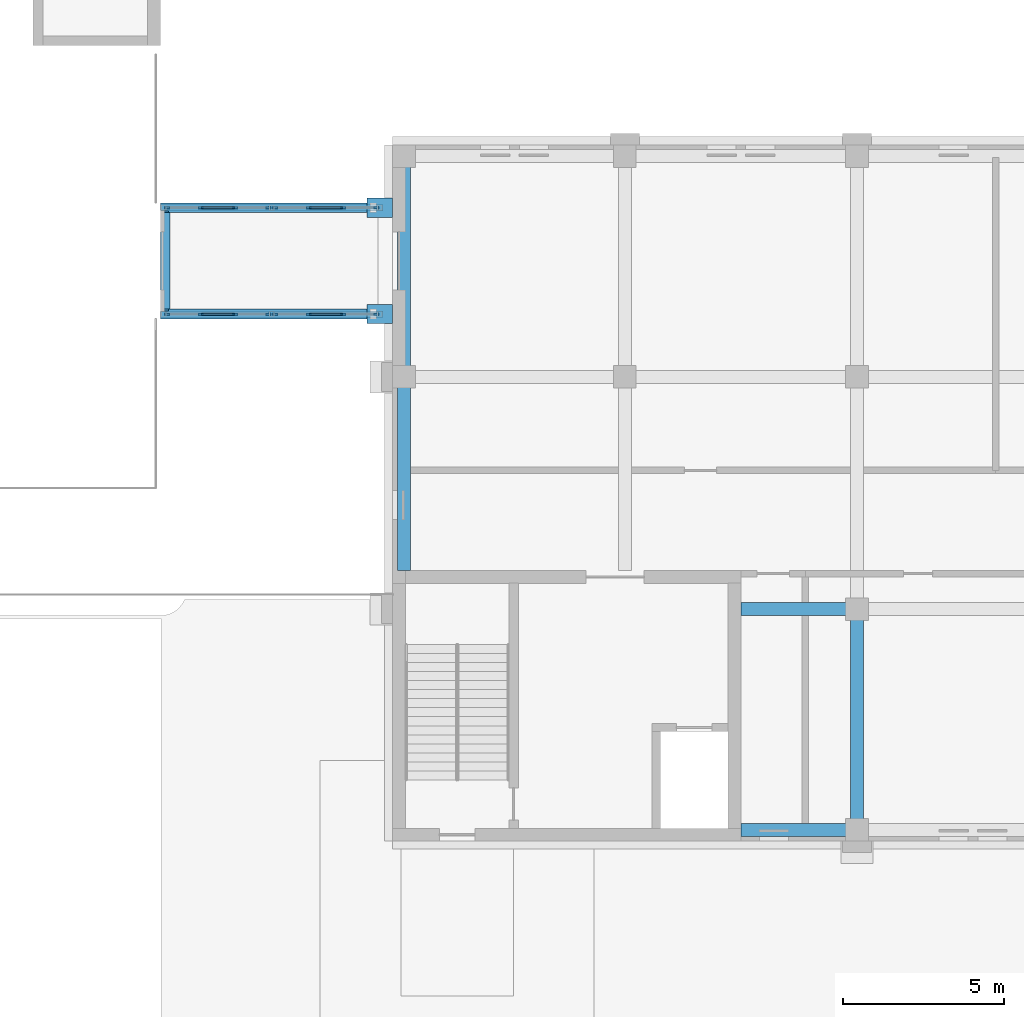
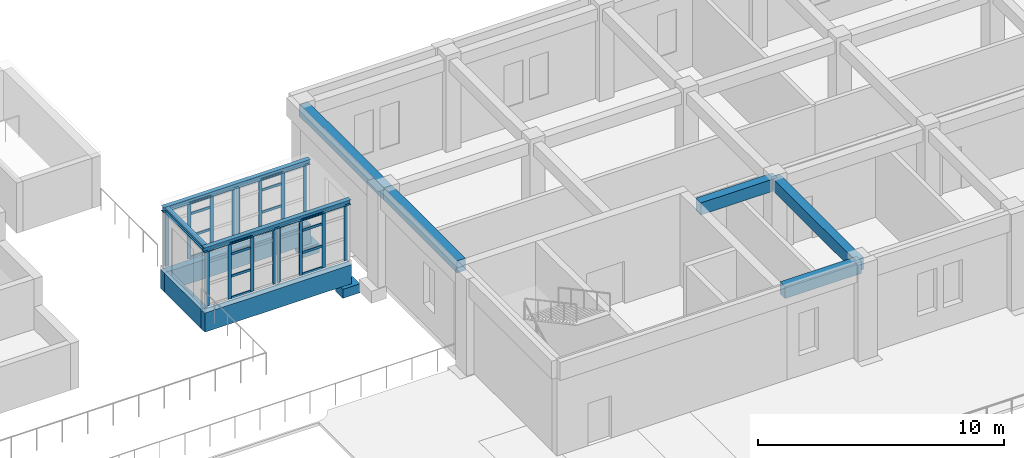
# One storey, part 47 of 131: 32 members, 13 beams, 4 elements without a shape of their own.
"""IFC4 building model written with IfcOpenShell, lengths in metres."""

from ifc_helpers import new_model, si_unit, direction, frame, origin, origin_2d, place, context, subcontext, project, spatial, rectangle, i_section, extrude, material, layer, layer_set, material_profile, profile_set, type_object, element, aggregate, save


model = new_model("IFC4")

# Units and contexts
model_context = context("Model", 3, precision=1e-05, world=origin(), true_north=direction((0.0, 1.0)))
body_context = subcontext(model_context, "Body", "Model", "MODEL_VIEW")
ifc_project = project(units=[si_unit("LENGTHUNIT", "METRE"), si_unit("AREAUNIT", "SQUARE_METRE"), si_unit("VOLUMEUNIT", "CUBIC_METRE"), si_unit("PLANEANGLEUNIT", "RADIAN"), si_unit("MASSUNIT", "GRAM", prefix="KILO")], contexts=[model_context])

# Site, building, storey
site_placement = place(None, origin())
site = spatial("IfcSite", under=ifc_project, at=site_placement, CompositionType="ELEMENT")
building_placement = place(site_placement, origin())
building = spatial("IfcBuilding", under=site, at=building_placement, Name="Alderwick Market Hall", CompositionType="ELEMENT")
storey_placement = place(building_placement, frame((0.0, 0.0, 4.800048828125)))
storey = spatial("IfcBuildingStorey", under=building, at=storey_placement, Name="L00", CompositionType="ELEMENT", Elevation=4.800048828125)

# Beams
ifc_material_1 = material(Name="Concrete 5000 psi (f'c 35 MPa)", Category="concrete")
ifc_material_profile_1 = material_profile(ifc_material_1, rectangle(XDim=0.39990234375, YDim=0.60009765625, at=origin_2d()), Name="RC 400x600")
ifc_profile_set_1 = profile_set([ifc_material_profile_1], Name="Concrete 5000 psi (f'c 35 MPa)")
beam_type_1 = type_object("IfcBeamType", Name="C Floor Beam RC 400x600", PredefinedType="BEAM", material=ifc_profile_set_1)
for number, where, z_axis, x_axis, name in (
    (1, (169.198974609375, 14.39990234375, 4.25), (1.0, 0.0, 0.0), (0.0, 1.0, 0.0), "C.beam.L00.021"),
    (2, (169.198974609375, 7.550048828125, 4.25), (1.0, 0.0, 0.0), (0.0, 1.0, 0.0), "C.beam.L00.029"),
):
    element("IfcBeam", number, at=place(storey_placement, frame(where, z_axis=z_axis, x_axis=x_axis)), inside=storey, type_object=beam_type_1, Name=name, PredefinedType="BEAM", context=body_context, shape_type="SweptSolid", body=[
        extrude(rectangle(XDim=0.39990234375, YDim=0.60009765625, at=origin_2d()), origin(), (0.0, 0.0, 1.0), 3.60107421875),
    ])
beam_1_placement = place(storey_placement, frame((158.75, 28.449951171875, 4.25), z_axis=(0.0, -1.0, 0.0), x_axis=(1.0, 0.0, 0.0)))
element("IfcBeam", 3, at=beam_1_placement, inside=storey, type_object=beam_type_1, Name="C.beam.L00.037", PredefinedType="BEAM", context=body_context, shape_type="SweptSolid", body=[
    extrude(rectangle(XDim=0.39990234375, YDim=0.60009765625, at=origin_2d()), origin(), (0.0, 0.0, 1.0), 6.849853515625),
])
beam_2_placement = place(storey_placement, frame((158.75, 21.60009765625, 4.25), z_axis=(0.0, -1.0, 0.0), x_axis=(1.0, 0.0, 0.0)))
element("IfcBeam", 4, at=beam_2_placement, inside=storey, type_object=beam_type_1, Name="C.beam.L00.038", PredefinedType="BEAM", context=body_context, shape_type="SweptSolid", body=[
    extrude(rectangle(XDim=0.39990234375, YDim=0.60009765625, at=origin_2d()), origin(), (0.0, 0.0, 1.0), 6.0009765625),
])
beam_3_placement = place(storey_placement, frame((172.800048828125, 14.39990234375, 4.25), z_axis=(0.0, -1.0, 0.0), x_axis=(1.0, 0.0, 0.0)))
element("IfcBeam", 5, at=beam_3_placement, inside=storey, type_object=beam_type_1, Name="C.beam.L00.043", PredefinedType="BEAM", context=body_context, shape_type="SweptSolid", body=[
    extrude(rectangle(XDim=0.39990234375, YDim=0.60009765625, at=origin_2d()), origin(), (0.0, 0.0, 1.0), 6.849853515625),
])

# Curtain wall, members
ifc_material_2 = material(Name="Aluminium frame", Category="aluminium")
ifc_layer = layer(ifc_material_2, 0.10009765625)
ifc_layer_set = layer_set([ifc_layer], Name="Aluminium frame")
curtain_wall_type = type_object("IfcCurtainWallType", Name="P Curtain Wall 100", PredefinedType="NOTDEFINED", material=ifc_layer_set)
curtain_wall_1_placement = place(storey_placement, origin())
curtain_wall_1 = element("IfcCurtainWall", 6, at=curtain_wall_1_placement, inside=storey, type_object=curtain_wall_type, Name="P.P10.cw.a0", PredefinedType="NOTDEFINED")
ifc_material_profile_2 = material_profile(ifc_material_2, rectangle(XDim=0.06005859375, YDim=0.159912109375, at=origin_2d()), Name="P Mullion 60x160")
ifc_profile_set_2 = profile_set([ifc_material_profile_2], Name="Aluminium frame")
member_type_1 = type_object("IfcMemberType", Name="P Mullion 60x160", PredefinedType="MULLION", material=ifc_profile_set_2)
member_1_placement = place(storey_placement, frame((151.406005859375, 23.550048828125, 0.0), z_axis=(0.0, 0.0, 1.0), x_axis=(0.0, 1.0, 0.0)))
member_1 = element("IfcMember", 7, at=member_1_placement, type_object=member_type_1, Name="P-CW10a0 mullion 1", PredefinedType="MULLION", context=body_context, shape_type="SweptSolid", body=[
    extrude(rectangle(XDim=0.06005859375, YDim=0.159912109375, at=origin_2d()), origin(), (0.0, 0.0, 1.0), 2.7529296875),
])
member_2_placement = place(storey_placement, frame((152.44189453125, 23.550048828125, 0.0), z_axis=(0.0, 0.0, 1.0), x_axis=(0.0, 1.0, 0.0)))
member_2 = element("IfcMember", 8, at=member_2_placement, type_object=member_type_1, Name="P-CW10a0 mullion 2", PredefinedType="MULLION", context=body_context, shape_type="SweptSolid", body=[
    extrude(rectangle(XDim=0.06005859375, YDim=0.159912109375, at=origin_2d()), origin(), (0.0, 0.0, 1.0), 2.7529296875),
])
member_3_placement = place(storey_placement, frame((153.508056640625, 23.550048828125, 0.0), z_axis=(0.0, 0.0, 1.0), x_axis=(0.0, 1.0, 0.0)))
member_3 = element("IfcMember", 9, at=member_3_placement, type_object=member_type_1, Name="P-CW10a0 mullion 3", PredefinedType="MULLION", context=body_context, shape_type="SweptSolid", body=[
    extrude(rectangle(XDim=0.06005859375, YDim=0.159912109375, at=origin_2d()), origin(), (0.0, 0.0, 1.0), 2.7529296875),
])
member_4_placement = place(storey_placement, frame((154.5439453125, 23.550048828125, 0.0), z_axis=(0.0, 0.0, 1.0), x_axis=(0.0, 1.0, 0.0)))
member_4 = element("IfcMember", 10, at=member_4_placement, type_object=member_type_1, Name="P-CW10a0 mullion 4", PredefinedType="MULLION", context=body_context, shape_type="SweptSolid", body=[
    extrude(rectangle(XDim=0.06005859375, YDim=0.159912109375, at=origin_2d()), origin(), (0.0, 0.0, 1.0), 2.7529296875),
])

curtain_wall_2_placement = place(storey_placement, origin())
curtain_wall_2 = element("IfcCurtainWall", 11, at=curtain_wall_2_placement, inside=storey, type_object=curtain_wall_type, Name="P.P10.cw.a1", PredefinedType="NOTDEFINED")
member_5_placement = place(storey_placement, frame((154.756103515625, 23.550048828125, 0.0), z_axis=(0.0, 0.0, 1.0), x_axis=(0.0, 1.0, 0.0)))
member_5 = element("IfcMember", 12, at=member_5_placement, type_object=member_type_1, Name="P-CW10a1 mullion 1", PredefinedType="MULLION", context=body_context, shape_type="SweptSolid", body=[
    extrude(rectangle(XDim=0.06005859375, YDim=0.159912109375, at=origin_2d()), origin(), (0.0, 0.0, 1.0), 2.7529296875),
])
member_6_placement = place(storey_placement, frame((155.7919921875, 23.550048828125, 0.0), z_axis=(0.0, 0.0, 1.0), x_axis=(0.0, 1.0, 0.0)))
member_6 = element("IfcMember", 13, at=member_6_placement, type_object=member_type_1, Name="P-CW10a1 mullion 2", PredefinedType="MULLION", context=body_context, shape_type="SweptSolid", body=[
    extrude(rectangle(XDim=0.06005859375, YDim=0.159912109375, at=origin_2d()), origin(), (0.0, 0.0, 1.0), 2.7529296875),
])
member_7_placement = place(storey_placement, frame((156.85791015625, 23.550048828125, 0.0), z_axis=(0.0, 0.0, 1.0), x_axis=(0.0, 1.0, 0.0)))
member_7 = element("IfcMember", 14, at=member_7_placement, type_object=member_type_1, Name="P-CW10a1 mullion 3", PredefinedType="MULLION", context=body_context, shape_type="SweptSolid", body=[
    extrude(rectangle(XDim=0.06005859375, YDim=0.159912109375, at=origin_2d()), origin(), (0.0, 0.0, 1.0), 2.7529296875),
])
member_8_placement = place(storey_placement, frame((157.89404296875, 23.550048828125, 0.0), z_axis=(0.0, 0.0, 1.0), x_axis=(0.0, 1.0, 0.0)))
member_8 = element("IfcMember", 15, at=member_8_placement, type_object=member_type_1, Name="P-CW10a1 mullion 4", PredefinedType="MULLION", context=body_context, shape_type="SweptSolid", body=[
    extrude(rectangle(XDim=0.06005859375, YDim=0.159912109375, at=origin_2d()), origin(), (0.0, 0.0, 1.0), 2.7529296875),
])

curtain_wall_3_placement = place(storey_placement, origin())
curtain_wall_3 = element("IfcCurtainWall", 16, at=curtain_wall_3_placement, inside=storey, type_object=curtain_wall_type, Name="P.P10.cw.b0", PredefinedType="NOTDEFINED")
member_9_placement = place(storey_placement, frame((151.406005859375, 26.85009765625, 0.0), z_axis=(0.0, 0.0, 1.0), x_axis=(0.0, 1.0, 0.0)))
member_9 = element("IfcMember", 17, at=member_9_placement, type_object=member_type_1, Name="P-CW10b0 mullion 1", PredefinedType="MULLION", context=body_context, shape_type="SweptSolid", body=[
    extrude(rectangle(XDim=0.06005859375, YDim=0.159912109375, at=origin_2d()), origin(), (0.0, 0.0, 1.0), 2.7529296875),
])
member_10_placement = place(storey_placement, frame((152.44189453125, 26.85009765625, 0.0), z_axis=(0.0, 0.0, 1.0), x_axis=(0.0, 1.0, 0.0)))
member_10 = element("IfcMember", 18, at=member_10_placement, type_object=member_type_1, Name="P-CW10b0 mullion 2", PredefinedType="MULLION", context=body_context, shape_type="SweptSolid", body=[
    extrude(rectangle(XDim=0.06005859375, YDim=0.159912109375, at=origin_2d()), origin(), (0.0, 0.0, 1.0), 2.7529296875),
])
member_11_placement = place(storey_placement, frame((153.508056640625, 26.85009765625, 0.0), z_axis=(0.0, 0.0, 1.0), x_axis=(0.0, 1.0, 0.0)))
member_11 = element("IfcMember", 19, at=member_11_placement, type_object=member_type_1, Name="P-CW10b0 mullion 3", PredefinedType="MULLION", context=body_context, shape_type="SweptSolid", body=[
    extrude(rectangle(XDim=0.06005859375, YDim=0.159912109375, at=origin_2d()), origin(), (0.0, 0.0, 1.0), 2.7529296875),
])
member_12_placement = place(storey_placement, frame((154.5439453125, 26.85009765625, 0.0), z_axis=(0.0, 0.0, 1.0), x_axis=(0.0, 1.0, 0.0)))
member_12 = element("IfcMember", 20, at=member_12_placement, type_object=member_type_1, Name="P-CW10b0 mullion 4", PredefinedType="MULLION", context=body_context, shape_type="SweptSolid", body=[
    extrude(rectangle(XDim=0.06005859375, YDim=0.159912109375, at=origin_2d()), origin(), (0.0, 0.0, 1.0), 2.7529296875),
])

curtain_wall_4_placement = place(storey_placement, origin())
curtain_wall_4 = element("IfcCurtainWall", 21, at=curtain_wall_4_placement, inside=storey, type_object=curtain_wall_type, Name="P.P10.cw.b1", PredefinedType="NOTDEFINED")
member_13_placement = place(storey_placement, frame((154.756103515625, 26.85009765625, 0.0), z_axis=(0.0, 0.0, 1.0), x_axis=(0.0, 1.0, 0.0)))
member_13 = element("IfcMember", 22, at=member_13_placement, type_object=member_type_1, Name="P-CW10b1 mullion 1", PredefinedType="MULLION", context=body_context, shape_type="SweptSolid", body=[
    extrude(rectangle(XDim=0.06005859375, YDim=0.159912109375, at=origin_2d()), origin(), (0.0, 0.0, 1.0), 2.7529296875),
])
member_14_placement = place(storey_placement, frame((155.7919921875, 26.85009765625, 0.0), z_axis=(0.0, 0.0, 1.0), x_axis=(0.0, 1.0, 0.0)))
member_14 = element("IfcMember", 23, at=member_14_placement, type_object=member_type_1, Name="P-CW10b1 mullion 2", PredefinedType="MULLION", context=body_context, shape_type="SweptSolid", body=[
    extrude(rectangle(XDim=0.06005859375, YDim=0.159912109375, at=origin_2d()), origin(), (0.0, 0.0, 1.0), 2.7529296875),
])
member_15_placement = place(storey_placement, frame((156.85791015625, 26.85009765625, 0.0), z_axis=(0.0, 0.0, 1.0), x_axis=(0.0, 1.0, 0.0)))
member_15 = element("IfcMember", 24, at=member_15_placement, type_object=member_type_1, Name="P-CW10b1 mullion 3", PredefinedType="MULLION", context=body_context, shape_type="SweptSolid", body=[
    extrude(rectangle(XDim=0.06005859375, YDim=0.159912109375, at=origin_2d()), origin(), (0.0, 0.0, 1.0), 2.7529296875),
])
member_16_placement = place(storey_placement, frame((157.89404296875, 26.85009765625, 0.0), z_axis=(0.0, 0.0, 1.0), x_axis=(0.0, 1.0, 0.0)))
member_16 = element("IfcMember", 25, at=member_16_placement, type_object=member_type_1, Name="P-CW10b1 mullion 4", PredefinedType="MULLION", context=body_context, shape_type="SweptSolid", body=[
    extrude(rectangle(XDim=0.06005859375, YDim=0.159912109375, at=origin_2d()), origin(), (0.0, 0.0, 1.0), 2.7529296875),
])

# Beams
ifc_material_profile_3 = material_profile(ifc_material_1, rectangle(XDim=0.60009765625, YDim=0.449951171875, at=origin_2d()), Name="P RC Bearing Corbel 600x450")
ifc_profile_set_3 = profile_set([ifc_material_profile_3], Name="Concrete 5000 psi (f'c 35 MPa)")
beam_type_2 = type_object("IfcBeamType", Name="P RC Bearing Corbel 600x450", PredefinedType="USERDEFINED", material=ifc_profile_set_3)
for number, where, z_axis, x_axis, name in (
    (26, (157.60009765625, 23.550048828125, -1.39306640625), (1.0, 0.0, 0.0), (0.0, 1.0, 0.0), "Bearing corbel"),
    (27, (157.60009765625, 26.85009765625, -1.39306640625), (1.0, 0.0, 0.0), (0.0, 1.0, 0.0), "Bearing corbel"),
):
    element("IfcBeam", number, at=place(storey_placement, frame(where, z_axis=z_axis, x_axis=x_axis)), inside=storey, type_object=beam_type_2, Name=name, ObjectType="CORBEL", PredefinedType="USERDEFINED", context=body_context, shape_type="SweptSolid", body=[
        extrude(rectangle(XDim=0.60009765625, YDim=0.449951171875, at=origin_2d()), origin(), (0.0, 0.0, 1.0), 0.7998046875),
    ])
ifc_material_profile_4 = material_profile(ifc_material_1, rectangle(XDim=0.300048828125, YDim=0.949951171875, at=origin_2d()), Name="P RC Edge Girder 300x950")
ifc_profile_set_4 = profile_set([ifc_material_profile_4], Name="Concrete 5000 psi (f'c 35 MPa)")
beam_type_3 = type_object("IfcBeamType", Name="P RC Edge Girder 300x950", PredefinedType="BEAM", material=ifc_profile_set_4)
for number, where, z_axis, x_axis, name in (
    (28, (151.199951171875, 23.550048828125, -0.675048828125), (1.0, 0.0, 0.0), (0.0, 1.0, 0.0), "P.P10.girder.a"),
    (29, (151.199951171875, 26.85009765625, -0.675048828125), (1.0, 0.0, 0.0), (0.0, 1.0, 0.0), "P.P10.girder.b"),
):
    element("IfcBeam", number, at=place(storey_placement, frame(where, z_axis=z_axis, x_axis=x_axis)), inside=storey, type_object=beam_type_3, Name=name, PredefinedType="BEAM", context=body_context, shape_type="SweptSolid", body=[
        extrude(rectangle(XDim=0.300048828125, YDim=0.949951171875, at=origin_2d()), origin(), (0.0, 0.0, 1.0), 6.900146484375),
    ])
beam_4_placement = place(storey_placement, frame((151.35009765625, 23.699951171875, -0.675048828125), z_axis=(0.0, 1.0, 0.0), x_axis=(-1.0, 0.0, 0.0)))
element("IfcBeam", 30, at=beam_4_placement, inside=storey, type_object=beam_type_3, Name="Passage tie girder", PredefinedType="BEAM", context=body_context, shape_type="SweptSolid", body=[
    extrude(rectangle(XDim=0.300048828125, YDim=0.949951171875, at=origin_2d()), origin(), (0.0, 0.0, 1.0), 3.0),
])
ifc_material_3 = material(Name="Steel ASTM A992 Grade 50", Category="steel")
ifc_material_profile_5 = material_profile(ifc_material_3, i_section(OverallWidth=0.201904296875, OverallDepth=0.2470703125, WebThickness=0.00732421875, FlangeThickness=0.010986328125, at=origin_2d()), Name="W250x49")
ifc_profile_set_5 = profile_set([ifc_material_profile_5], Name="Steel ASTM A992 Grade 50")
beam_type_4 = type_object("IfcBeamType", Name="P Roof Beam W250x49", PredefinedType="BEAM", material=ifc_profile_set_5)
for number, where, z_axis, x_axis, name in (
    (31, (151.199951171875, 23.550048828125, 2.87646484375), (1.0, 0.0, 0.0), (0.0, 1.0, 0.0), "P.P10.rbeam.a"),
    (32, (151.199951171875, 26.85009765625, 2.87646484375), (1.0, 0.0, 0.0), (0.0, 1.0, 0.0), "P.P10.rbeam.b"),
):
    element("IfcBeam", number, at=place(storey_placement, frame(where, z_axis=z_axis, x_axis=x_axis)), inside=storey, type_object=beam_type_4, Name=name, PredefinedType="BEAM", context=body_context, shape_type="SweptSolid", body=[
        extrude(i_section(OverallWidth=0.201904296875, OverallDepth=0.2470703125, WebThickness=0.00732421875, FlangeThickness=0.010986328125, at=origin_2d()), origin(), (0.0, 0.0, 1.0), 6.900146484375),
    ])
beam_5_placement = place(storey_placement, frame((151.35009765625, 23.65087890625, 2.87646484375), z_axis=(0.0, 1.0, 0.0), x_axis=(-1.0, 0.0, 0.0)))
element("IfcBeam", 33, at=beam_5_placement, inside=storey, type_object=beam_type_4, Name="Passage tie beam", PredefinedType="BEAM", context=body_context, shape_type="SweptSolid", body=[
    extrude(i_section(OverallWidth=0.201904296875, OverallDepth=0.2470703125, WebThickness=0.00732421875, FlangeThickness=0.010986328125, at=origin_2d()), origin(), (0.0, 0.0, 1.0), 3.09814453125),
])

# Member
ifc_material_profile_6 = material_profile(ifc_material_2, rectangle(XDim=0.06005859375, YDim=0.1201171875, at=origin_2d()), Name="P Transom 60x120")
ifc_profile_set_6 = profile_set([ifc_material_profile_6], Name="Aluminium frame")
member_type_2 = type_object("IfcMemberType", Name="P Transom 60x120", PredefinedType="USERDEFINED", material=ifc_profile_set_6)
member_17_placement = place(storey_placement, frame((152.471923828125, 23.550048828125, 0.030029296875), z_axis=(1.0, 0.0, 0.0), x_axis=(0.0, 1.0, 0.0)))
member_17 = element("IfcMember", 34, at=member_17_placement, type_object=member_type_2, Name="P-CW10a0 transom 2.1", ObjectType="TRANSOM", PredefinedType="USERDEFINED", context=body_context, shape_type="SweptSolid", body=[
    extrude(rectangle(XDim=0.06005859375, YDim=0.1201171875, at=origin_2d()), origin(), (0.0, 0.0, 1.0), 1.006103515625),
])

member_18_placement = place(storey_placement, frame((152.471923828125, 23.550048828125, 1.099853515625), z_axis=(1.0, 0.0, 0.0), x_axis=(0.0, 1.0, 0.0)))
member_18 = element("IfcMember", 35, at=member_18_placement, type_object=member_type_2, Name="P-CW10a0 transom 2.2", ObjectType="TRANSOM", PredefinedType="USERDEFINED", context=body_context, shape_type="SweptSolid", body=[
    extrude(rectangle(XDim=0.06005859375, YDim=0.1201171875, at=origin_2d()), origin(), (0.0, 0.0, 1.0), 1.006103515625),
])

member_19_placement = place(storey_placement, frame((152.471923828125, 23.550048828125, 2.199951171875), z_axis=(1.0, 0.0, 0.0), x_axis=(0.0, 1.0, 0.0)))
member_19 = element("IfcMember", 36, at=member_19_placement, type_object=member_type_2, Name="P-CW10a0 transom 2.3", ObjectType="TRANSOM", PredefinedType="USERDEFINED", context=body_context, shape_type="SweptSolid", body=[
    extrude(rectangle(XDim=0.06005859375, YDim=0.1201171875, at=origin_2d()), origin(), (0.0, 0.0, 1.0), 1.006103515625),
])

member_20_placement = place(storey_placement, frame((152.471923828125, 23.550048828125, 2.722900390625), z_axis=(1.0, 0.0, 0.0), x_axis=(0.0, 1.0, 0.0)))
member_20 = element("IfcMember", 37, at=member_20_placement, type_object=member_type_2, Name="P-CW10a0 transom 2.4", ObjectType="TRANSOM", PredefinedType="USERDEFINED", context=body_context, shape_type="SweptSolid", body=[
    extrude(rectangle(XDim=0.06005859375, YDim=0.1201171875, at=origin_2d()), origin(), (0.0, 0.0, 1.0), 1.006103515625),
])

aggregate(curtain_wall_1, [member_1, member_2, member_3, member_4, member_17, member_18, member_19, member_20])

member_21_placement = place(storey_placement, frame((155.822021484375, 23.550048828125, 0.030029296875), z_axis=(1.0, 0.0, 0.0), x_axis=(0.0, 1.0, 0.0)))
member_21 = element("IfcMember", 38, at=member_21_placement, type_object=member_type_2, Name="P-CW10a1 transom 2.1", ObjectType="TRANSOM", PredefinedType="USERDEFINED", context=body_context, shape_type="SweptSolid", body=[
    extrude(rectangle(XDim=0.06005859375, YDim=0.1201171875, at=origin_2d()), origin(), (0.0, 0.0, 1.0), 1.005859375),
])

member_22_placement = place(storey_placement, frame((155.822021484375, 23.550048828125, 1.099853515625), z_axis=(1.0, 0.0, 0.0), x_axis=(0.0, 1.0, 0.0)))
member_22 = element("IfcMember", 39, at=member_22_placement, type_object=member_type_2, Name="P-CW10a1 transom 2.2", ObjectType="TRANSOM", PredefinedType="USERDEFINED", context=body_context, shape_type="SweptSolid", body=[
    extrude(rectangle(XDim=0.06005859375, YDim=0.1201171875, at=origin_2d()), origin(), (0.0, 0.0, 1.0), 1.005859375),
])

member_23_placement = place(storey_placement, frame((155.822021484375, 23.550048828125, 2.199951171875), z_axis=(1.0, 0.0, 0.0), x_axis=(0.0, 1.0, 0.0)))
member_23 = element("IfcMember", 40, at=member_23_placement, type_object=member_type_2, Name="P-CW10a1 transom 2.3", ObjectType="TRANSOM", PredefinedType="USERDEFINED", context=body_context, shape_type="SweptSolid", body=[
    extrude(rectangle(XDim=0.06005859375, YDim=0.1201171875, at=origin_2d()), origin(), (0.0, 0.0, 1.0), 1.005859375),
])

member_24_placement = place(storey_placement, frame((155.822021484375, 23.550048828125, 2.722900390625), z_axis=(1.0, 0.0, 0.0), x_axis=(0.0, 1.0, 0.0)))
member_24 = element("IfcMember", 41, at=member_24_placement, type_object=member_type_2, Name="P-CW10a1 transom 2.4", ObjectType="TRANSOM", PredefinedType="USERDEFINED", context=body_context, shape_type="SweptSolid", body=[
    extrude(rectangle(XDim=0.06005859375, YDim=0.1201171875, at=origin_2d()), origin(), (0.0, 0.0, 1.0), 1.005859375),
])

aggregate(curtain_wall_2, [member_5, member_6, member_7, member_8, member_21, member_22, member_23, member_24])

member_25_placement = place(storey_placement, frame((152.471923828125, 26.85009765625, 0.030029296875), z_axis=(1.0, 0.0, 0.0), x_axis=(0.0, 1.0, 0.0)))
member_25 = element("IfcMember", 42, at=member_25_placement, type_object=member_type_2, Name="P-CW10b0 transom 2.1", ObjectType="TRANSOM", PredefinedType="USERDEFINED", context=body_context, shape_type="SweptSolid", body=[
    extrude(rectangle(XDim=0.06005859375, YDim=0.1201171875, at=origin_2d()), origin(), (0.0, 0.0, 1.0), 1.006103515625),
])

member_26_placement = place(storey_placement, frame((152.471923828125, 26.85009765625, 1.099853515625), z_axis=(1.0, 0.0, 0.0), x_axis=(0.0, 1.0, 0.0)))
member_26 = element("IfcMember", 43, at=member_26_placement, type_object=member_type_2, Name="P-CW10b0 transom 2.2", ObjectType="TRANSOM", PredefinedType="USERDEFINED", context=body_context, shape_type="SweptSolid", body=[
    extrude(rectangle(XDim=0.06005859375, YDim=0.1201171875, at=origin_2d()), origin(), (0.0, 0.0, 1.0), 1.006103515625),
])

member_27_placement = place(storey_placement, frame((152.471923828125, 26.85009765625, 2.199951171875), z_axis=(1.0, 0.0, 0.0), x_axis=(0.0, 1.0, 0.0)))
member_27 = element("IfcMember", 44, at=member_27_placement, type_object=member_type_2, Name="P-CW10b0 transom 2.3", ObjectType="TRANSOM", PredefinedType="USERDEFINED", context=body_context, shape_type="SweptSolid", body=[
    extrude(rectangle(XDim=0.06005859375, YDim=0.1201171875, at=origin_2d()), origin(), (0.0, 0.0, 1.0), 1.006103515625),
])

member_28_placement = place(storey_placement, frame((152.471923828125, 26.85009765625, 2.722900390625), z_axis=(1.0, 0.0, 0.0), x_axis=(0.0, 1.0, 0.0)))
member_28 = element("IfcMember", 45, at=member_28_placement, type_object=member_type_2, Name="P-CW10b0 transom 2.4", ObjectType="TRANSOM", PredefinedType="USERDEFINED", context=body_context, shape_type="SweptSolid", body=[
    extrude(rectangle(XDim=0.06005859375, YDim=0.1201171875, at=origin_2d()), origin(), (0.0, 0.0, 1.0), 1.006103515625),
])

aggregate(curtain_wall_3, [member_9, member_10, member_11, member_12, member_25, member_26, member_27, member_28])

member_29_placement = place(storey_placement, frame((155.822021484375, 26.85009765625, 0.030029296875), z_axis=(1.0, 0.0, 0.0), x_axis=(0.0, 1.0, 0.0)))
member_29 = element("IfcMember", 46, at=member_29_placement, type_object=member_type_2, Name="P-CW10b1 transom 2.1", ObjectType="TRANSOM", PredefinedType="USERDEFINED", context=body_context, shape_type="SweptSolid", body=[
    extrude(rectangle(XDim=0.06005859375, YDim=0.1201171875, at=origin_2d()), origin(), (0.0, 0.0, 1.0), 1.005859375),
])

member_30_placement = place(storey_placement, frame((155.822021484375, 26.85009765625, 1.099853515625), z_axis=(1.0, 0.0, 0.0), x_axis=(0.0, 1.0, 0.0)))
member_30 = element("IfcMember", 47, at=member_30_placement, type_object=member_type_2, Name="P-CW10b1 transom 2.2", ObjectType="TRANSOM", PredefinedType="USERDEFINED", context=body_context, shape_type="SweptSolid", body=[
    extrude(rectangle(XDim=0.06005859375, YDim=0.1201171875, at=origin_2d()), origin(), (0.0, 0.0, 1.0), 1.005859375),
])

member_31_placement = place(storey_placement, frame((155.822021484375, 26.85009765625, 2.199951171875), z_axis=(1.0, 0.0, 0.0), x_axis=(0.0, 1.0, 0.0)))
member_31 = element("IfcMember", 48, at=member_31_placement, type_object=member_type_2, Name="P-CW10b1 transom 2.3", ObjectType="TRANSOM", PredefinedType="USERDEFINED", context=body_context, shape_type="SweptSolid", body=[
    extrude(rectangle(XDim=0.06005859375, YDim=0.1201171875, at=origin_2d()), origin(), (0.0, 0.0, 1.0), 1.005859375),
])

member_32_placement = place(storey_placement, frame((155.822021484375, 26.85009765625, 2.722900390625), z_axis=(1.0, 0.0, 0.0), x_axis=(0.0, 1.0, 0.0)))
member_32 = element("IfcMember", 49, at=member_32_placement, type_object=member_type_2, Name="P-CW10b1 transom 2.4", ObjectType="TRANSOM", PredefinedType="USERDEFINED", context=body_context, shape_type="SweptSolid", body=[
    extrude(rectangle(XDim=0.06005859375, YDim=0.1201171875, at=origin_2d()), origin(), (0.0, 0.0, 1.0), 1.005859375),
])

aggregate(curtain_wall_4, [member_13, member_14, member_15, member_16, member_29, member_30, member_31, member_32])

save(model, "model.ifc")
